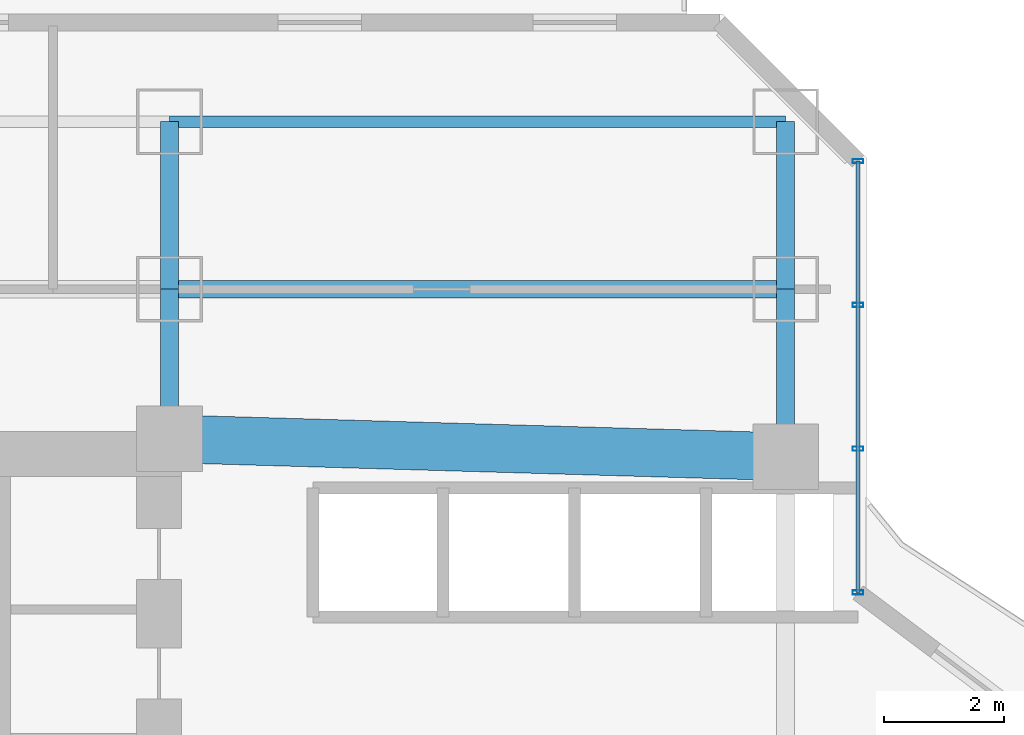
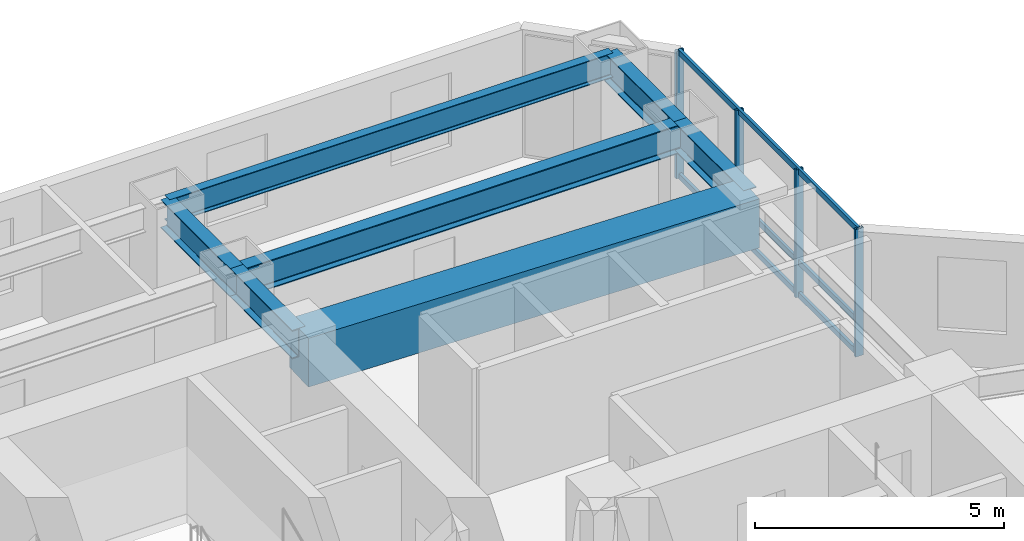
# One storey, part 18 of 37: 7 beams, 7 members, 1 element without a shape of its own.
"""IFC4 building model written with IfcOpenShell, lengths in metres."""

from ifc_helpers import new_model, si_unit, direction, frame, origin, origin_2d, place, context, subcontext, project, spatial, rectangle, hollow_rectangle, i_section, extrude, material, layer, layer_set, material_profile, profile_set, type_object, element, aggregate, save


model = new_model("IFC4")

# Units and contexts
model_context = context("Model", 3, precision=1e-05, world=origin(), true_north=direction((0.0, 1.0)))
body_context = subcontext(model_context, "Body", "Model", "MODEL_VIEW")
ifc_project = project(units=[si_unit("LENGTHUNIT", "METRE"), si_unit("AREAUNIT", "SQUARE_METRE"), si_unit("VOLUMEUNIT", "CUBIC_METRE"), si_unit("PLANEANGLEUNIT", "RADIAN"), si_unit("MASSUNIT", "GRAM", prefix="KILO")], contexts=[model_context])

# Site, building, storey
site_placement = place(None, origin())
site = spatial("IfcSite", under=ifc_project, at=site_placement, CompositionType="ELEMENT")
building_placement = place(site_placement, origin())
building = spatial("IfcBuilding", under=site, at=building_placement, Name="Hatsunagi Terrace Concourse", CompositionType="ELEMENT")
storey_placement = place(building_placement, frame((0.0, 0.0, 39.949951171875)))
storey = spatial("IfcBuildingStorey", under=building, at=storey_placement, Name="L09", CompositionType="ELEMENT", Elevation=39.949951171875)

# Beam
ifc_material_1 = material(Name="Concrete Fc60", Category="concrete")
ifc_material_profile_1 = material_profile(ifc_material_1, rectangle(XDim=0.800048828125, YDim=1.199951171875, at=origin_2d()), Name="RC-800x1200")
ifc_profile_set_1 = profile_set([ifc_material_profile_1], Name="Concrete Fc60")
beam_type_1 = type_object("IfcBeamType", Name="CoreCouplingBeam_RC_800x1200", PredefinedType="BEAM", material=ifc_profile_set_1)
beam_1_placement = place(storey_placement, frame((33.35009765625, 43.300048828125, 2.530029296875), z_axis=(0.999575947545, -0.029119153303, 0.0), x_axis=(0.029119153303, 0.999575947545, 0.0)))
element("IfcBeam", 1, at=beam_1_placement, inside=storey, type_object=beam_type_1, Name="Beam CB-01 CB-L09-2", PredefinedType="BEAM", context=body_context, shape_type="SweptSolid", body=[
    extrude(rectangle(XDim=0.800048828125, YDim=1.199951171875, at=origin_2d()), origin(), (0.0, 0.0, 1.0), 10.30419921875),
])

# Curtain wall, members
ifc_material_2 = material(Name="Anodised Aluminium Alloy 6063-T5", Category="aluminium")
ifc_layer = layer(ifc_material_2, 0.199951171875)
ifc_layer_set = layer_set([ifc_layer], Name="HotelFacade_CW02")
curtain_wall_type = type_object("IfcCurtainWallType", Name="HotelFacade_CW02", PredefinedType="NOTDEFINED", material=ifc_layer_set)
curtain_wall_placement = place(storey_placement, origin())
curtain_wall = element("IfcCurtainWall", 2, at=curtain_wall_placement, inside=storey, type_object=curtain_wall_type, Name="Unitised Curtain Wall CW-02 CW-L09-13", PredefinedType="NOTDEFINED")
ifc_material_3 = material(Name="Anodised Aluminium Alloy 6063-T5", Category="aluminium")
ifc_material_profile_2 = material_profile(ifc_material_3, hollow_rectangle(XDim=0.070068359375, YDim=0.179931640625, WallThickness=0.00390625, at=origin_2d()), Name="ALU-MUL-180x70x4")
ifc_profile_set_2 = profile_set([ifc_material_profile_2], Name="Anodised Aluminium Alloy 6063-T5")
member_type_1 = type_object("IfcMemberType", Name="CurtainWallMullion_180x70", PredefinedType="MULLION", material=ifc_profile_set_2)
member_1_placement = place(storey_placement, frame((44.860107421875, 47.94189453125, 0.0), z_axis=(0.0, 0.0, 1.0), x_axis=(0.0, -1.0, 0.0)))
member_1 = element("IfcMember", 3, at=member_1_placement, type_object=member_type_1, Name="Curtain Wall Mullion MUL-02", PredefinedType="MULLION", context=body_context, shape_type="SweptSolid", body=[
    extrude(hollow_rectangle(XDim=0.070068359375, YDim=0.179931640625, WallThickness=0.00390625, at=origin_2d()), origin(), (0.0, 0.0, 1.0), 3.130126953125),
])
member_2_placement = place(storey_placement, frame((44.860107421875, 45.5380859375, 0.0), z_axis=(0.0, 0.0, 1.0), x_axis=(0.0, -1.0, 0.0)))
member_2 = element("IfcMember", 4, at=member_2_placement, type_object=member_type_1, Name="Curtain Wall Mullion MUL-02", PredefinedType="MULLION", context=body_context, shape_type="SweptSolid", body=[
    extrude(hollow_rectangle(XDim=0.070068359375, YDim=0.179931640625, WallThickness=0.00390625, at=origin_2d()), origin(), (0.0, 0.0, 1.0), 3.130126953125),
])
member_3_placement = place(storey_placement, frame((44.860107421875, 43.134033203125, 0.0), z_axis=(0.0, 0.0, 1.0), x_axis=(0.0, -1.0, 0.0)))
member_3 = element("IfcMember", 5, at=member_3_placement, type_object=member_type_1, Name="Curtain Wall Mullion MUL-02", PredefinedType="MULLION", context=body_context, shape_type="SweptSolid", body=[
    extrude(hollow_rectangle(XDim=0.070068359375, YDim=0.179931640625, WallThickness=0.00390625, at=origin_2d()), origin(), (0.0, 0.0, 1.0), 3.130126953125),
])
member_4_placement = place(storey_placement, frame((44.860107421875, 40.72998046875, 0.0), z_axis=(0.0, 0.0, 1.0), x_axis=(0.0, -1.0, 0.0)))
member_4 = element("IfcMember", 6, at=member_4_placement, type_object=member_type_1, Name="Curtain Wall Mullion MUL-02", PredefinedType="MULLION", context=body_context, shape_type="SweptSolid", body=[
    extrude(hollow_rectangle(XDim=0.070068359375, YDim=0.179931640625, WallThickness=0.00390625, at=origin_2d()), origin(), (0.0, 0.0, 1.0), 3.130126953125),
])
ifc_material_4 = material(Name="Anodised Aluminium Alloy 6063-T5", Category="aluminium")
ifc_material_profile_3 = material_profile(ifc_material_4, hollow_rectangle(XDim=0.06494140625, YDim=0.139892578125, WallThickness=0.00390625, at=origin_2d()), Name="ALU-TRN-140x65x4")
ifc_profile_set_3 = profile_set([ifc_material_profile_3], Name="Anodised Aluminium Alloy 6063-T5")
member_type_2 = type_object("IfcMemberType", Name="CurtainWallTransom_140x65", PredefinedType="USERDEFINED", material=ifc_profile_set_3)
member_5_placement = place(storey_placement, frame((44.860107421875, 47.94189453125, 0.050048828125), z_axis=(0.0, -1.0, 0.0), x_axis=(1.0, 0.0, 0.0)))
member_5 = element("IfcMember", 7, at=member_5_placement, type_object=member_type_2, Name="Curtain Wall Transom TRN-02", ObjectType="TRANSOM", PredefinedType="USERDEFINED", context=body_context, shape_type="SweptSolid", body=[
    extrude(hollow_rectangle(XDim=0.06494140625, YDim=0.139892578125, WallThickness=0.00390625, at=origin_2d()), origin(), (0.0, 0.0, 1.0), 7.2119140625),
])
member_6_placement = place(storey_placement, frame((44.860107421875, 47.94189453125, 0.85009765625), z_axis=(0.0, -1.0, 0.0), x_axis=(1.0, 0.0, 0.0)))
member_6 = element("IfcMember", 8, at=member_6_placement, type_object=member_type_2, Name="Curtain Wall Transom TRN-02", ObjectType="TRANSOM", PredefinedType="USERDEFINED", context=body_context, shape_type="SweptSolid", body=[
    extrude(hollow_rectangle(XDim=0.06494140625, YDim=0.139892578125, WallThickness=0.00390625, at=origin_2d()), origin(), (0.0, 0.0, 1.0), 7.2119140625),
])
member_7_placement = place(storey_placement, frame((44.860107421875, 47.94189453125, 3.080078125), z_axis=(0.0, -1.0, 0.0), x_axis=(1.0, 0.0, 0.0)))
member_7 = element("IfcMember", 9, at=member_7_placement, type_object=member_type_2, Name="Curtain Wall Transom TRN-02", ObjectType="TRANSOM", PredefinedType="USERDEFINED", context=body_context, shape_type="SweptSolid", body=[
    extrude(hollow_rectangle(XDim=0.06494140625, YDim=0.139892578125, WallThickness=0.00390625, at=origin_2d()), origin(), (0.0, 0.0, 1.0), 7.2119140625),
])
aggregate(curtain_wall, [member_1, member_2, member_3, member_4, member_5, member_6, member_7])

# Beams
ifc_material_5 = material(Name="Steel SN490B", Category="steel")
ifc_material_profile_4 = material_profile(ifc_material_5, i_section(OverallWidth=0.300048828125, OverallDepth=0.699951171875, WebThickness=0.012939453125, FlangeThickness=0.02392578125, FilletRadius=0.02197265625, at=origin_2d()), Name="H-700x300x13x24")
ifc_profile_set_4 = profile_set([ifc_material_profile_4], Name="Steel SN490B")
beam_type_2 = type_object("IfcBeamType", Name="HotelFloorGirder_H_700x300", PredefinedType="BEAM", material=ifc_profile_set_4)
beam_2_placement = place(storey_placement, frame((33.35009765625, 43.300048828125, 2.780029296875), z_axis=(0.0, 1.0, 0.0), x_axis=(-1.0, 0.0, 0.0)))
element("IfcBeam", 10, at=beam_2_placement, inside=storey, type_object=beam_type_2, Name="Beam G-04 BM-L09-CN2", PredefinedType="BEAM", context=body_context, shape_type="SweptSolid", body=[
    extrude(i_section(OverallWidth=0.300048828125, OverallDepth=0.699951171875, WebThickness=0.012939453125, FlangeThickness=0.02392578125, FilletRadius=0.02197265625, at=origin_2d()), origin(), (0.0, 0.0, 1.0), 2.5),
])
beam_3_placement = place(storey_placement, frame((43.64990234375, 43.0, 2.780029296875), z_axis=(0.0, 1.0, 0.0), x_axis=(-1.0, 0.0, 0.0)))
element("IfcBeam", 11, at=beam_3_placement, inside=storey, type_object=beam_type_2, Name="Beam G-04 BM-L09-CN3", PredefinedType="BEAM", context=body_context, shape_type="SweptSolid", body=[
    extrude(i_section(OverallWidth=0.300048828125, OverallDepth=0.699951171875, WebThickness=0.012939453125, FlangeThickness=0.02392578125, FilletRadius=0.02197265625, at=origin_2d()), origin(), (0.0, 0.0, 1.0), 2.800048828125),
])
beam_4_placement = place(storey_placement, frame((33.35009765625, 45.800048828125, 2.780029296875), z_axis=(1.0, 0.0, 0.0), x_axis=(0.0, 1.0, 0.0)))
element("IfcBeam", 12, at=beam_4_placement, inside=storey, type_object=beam_type_2, Name="Beam G-04 BM-L09-CNEW2", PredefinedType="BEAM", context=body_context, shape_type="SweptSolid", body=[
    extrude(i_section(OverallWidth=0.300048828125, OverallDepth=0.699951171875, WebThickness=0.012939453125, FlangeThickness=0.02392578125, FilletRadius=0.02197265625, at=origin_2d()), origin(), (0.0, 0.0, 1.0), 10.2998046875),
])
for number, where, z_axis, x_axis, name in (
    (13, (33.35009765625, 45.800048828125, 2.780029296875), (0.0, 1.0, 0.0), (-1.0, 0.0, 0.0), "Beam G-04 BM-L09-KN-WN5"),
    (14, (43.64990234375, 45.800048828125, 2.780029296875), (0.0, 1.0, 0.0), (-1.0, 0.0, 0.0), "Beam G-04 BM-L09-KN-WN6"),
):
    element("IfcBeam", number, at=place(storey_placement, frame(where, z_axis=z_axis, x_axis=x_axis)), inside=storey, type_object=beam_type_2, Name=name, PredefinedType="BEAM", context=body_context, shape_type="SweptSolid", body=[
        extrude(i_section(OverallWidth=0.300048828125, OverallDepth=0.699951171875, WebThickness=0.012939453125, FlangeThickness=0.02392578125, FilletRadius=0.02197265625, at=origin_2d()), origin(), (0.0, 0.0, 1.0), 2.800048828125),
    ])
ifc_material_6 = material(Name="Steel SN490B", Category="steel")
ifc_material_profile_5 = material_profile(ifc_material_6, i_section(OverallWidth=0.199951171875, OverallDepth=0.60009765625, WebThickness=0.010986328125, FlangeThickness=0.01708984375, FilletRadius=0.01806640625, at=origin_2d()), Name="H-600x200x11x17")
ifc_profile_set_5 = profile_set([ifc_material_profile_5], Name="Steel SN490B")
beam_type_3 = type_object("IfcBeamType", Name="PerimeterSpandrel_H_600x200", PredefinedType="SPANDREL", material=ifc_profile_set_5)
beam_5_placement = place(storey_placement, frame((33.35009765625, 48.60009765625, 2.830078125), z_axis=(1.0, 0.0, 0.0), x_axis=(0.0, 1.0, 0.0)))
element("IfcBeam", 15, at=beam_5_placement, inside=storey, type_object=beam_type_3, Name="Beam SP-01 BM-L09-WN-33", PredefinedType="SPANDREL", context=body_context, shape_type="SweptSolid", body=[
    extrude(i_section(OverallWidth=0.199951171875, OverallDepth=0.60009765625, WebThickness=0.010986328125, FlangeThickness=0.01708984375, FilletRadius=0.01806640625, at=origin_2d()), origin(), (0.0, 0.0, 1.0), 10.2998046875),
])

save(model, "model.ifc")
